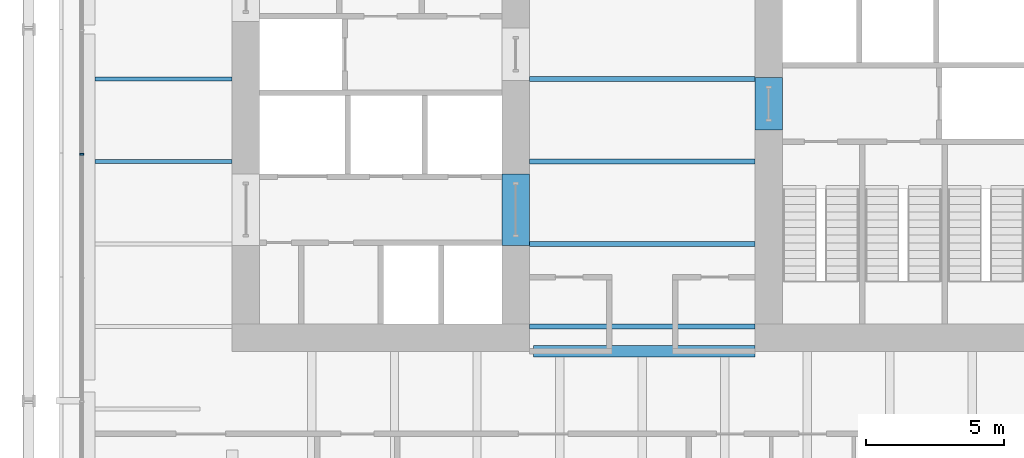
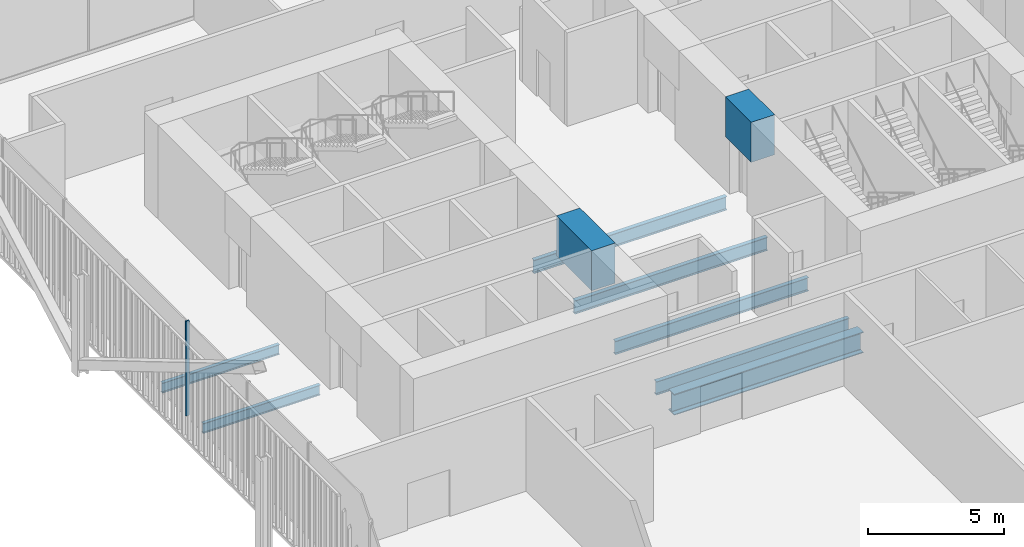
# One storey, part 7 of 21: 9 beams, 1 member, 1 element without a shape of its own.
"""IFC4 building model written with IfcOpenShell, lengths in metres."""

from ifc_helpers import new_model, si_unit, direction, frame, origin, origin_2d, place, context, subcontext, project, spatial, rectangle, i_section, extrude, material, layer, layer_set, material_profile, profile_set, type_object, element, aggregate, save


model = new_model("IFC4")

# Units and contexts
model_context = context("Model", 3, precision=1e-05, world=origin(), true_north=direction((0.0, 1.0)))
body_context = subcontext(model_context, "Body", "Model", "MODEL_VIEW")
ifc_project = project(units=[si_unit("LENGTHUNIT", "METRE"), si_unit("AREAUNIT", "SQUARE_METRE"), si_unit("VOLUMEUNIT", "CUBIC_METRE"), si_unit("PLANEANGLEUNIT", "RADIAN"), si_unit("MASSUNIT", "GRAM", prefix="KILO")], contexts=[model_context])

# Site, building, storey
site_placement = place(None, origin())
site = spatial("IfcSite", under=ifc_project, at=site_placement, CompositionType="ELEMENT")
building_placement = place(site_placement, origin())
building = spatial("IfcBuilding", under=site, at=building_placement, Name="Millrace Tower", CompositionType="ELEMENT")
storey_placement = place(building_placement, frame((0.0, 0.0, 73.199951171875)))
storey = spatial("IfcBuildingStorey", under=building, at=storey_placement, Name="L16", CompositionType="ELEMENT", Elevation=73.199951171875)

# Curtain wall, member
ifc_material_1 = material(Name="Aluminium and glass", Category="aluminium")
ifc_layer = layer(ifc_material_1, 0.14990234375)
ifc_layer_set = layer_set([ifc_layer], Name="Aluminium and glass")
curtain_wall_type = type_object("IfcCurtainWallType", Name="CW-3 telecom floor curtain wall", PredefinedType="NOTDEFINED", material=ifc_layer_set)
curtain_wall_placement = place(storey_placement, origin())
curtain_wall = element("IfcCurtainWall", 1, at=curtain_wall_placement, inside=storey, type_object=curtain_wall_type, Name="Curtain wall B-F08 L16", PredefinedType="NOTDEFINED")
ifc_material_2 = material(Name="Aluminium", Category="aluminium")
ifc_material_profile_1 = material_profile(ifc_material_2, rectangle(XDim=0.06494140625, YDim=0.14990234375, at=origin_2d()))
ifc_profile_set_1 = profile_set([ifc_material_profile_1], Name="Aluminium")
member_type = type_object("IfcMemberType", Name="CW-3 telecom floor curtain wall mullion", PredefinedType="MULLION", material=ifc_profile_set_1)
member_placement = place(storey_placement, frame((-20.375, -2.732421875, 0.150146484375), z_axis=(0.0, 0.0, 1.0), x_axis=(0.0, -1.0, 0.0)))
member = element("IfcMember", 2, at=member_placement, type_object=member_type, Name="CW3 mullion B-F08.5", PredefinedType="MULLION", context=body_context, shape_type="SweptSolid", body=[
    extrude(rectangle(XDim=0.06494140625, YDim=0.14990234375, at=origin_2d()), origin(), (0.0, 0.0, 1.0), 4.25),
])
aggregate(curtain_wall, [member])

# Beams
ifc_material_3 = material(Name="Concrete C80", Category="concrete")
ifc_material_profile_2 = material_profile(ifc_material_3, rectangle(XDim=1.0, YDim=1.800048828125, at=origin_2d()))
ifc_profile_set_2 = profile_set([ifc_material_profile_2], Name="Concrete C80")
beam_type_1 = type_object("IfcBeamType", Name="Coupling beam 1000 x 1800 Concrete C80, 1300 opening", PredefinedType="BEAM", material=ifc_profile_set_2)
beam_1_placement = place(storey_placement, frame((4.60009765625, 0.050048828125, 3.300048828125), z_axis=(0.0, -1.0, 0.0), x_axis=(1.0, 0.0, 0.0)))
element("IfcBeam", 3, at=beam_1_placement, inside=storey, type_object=beam_type_1, Name="Coupling beam E L16", PredefinedType="BEAM", context=body_context, shape_type="SweptSolid", body=[
    extrude(rectangle(XDim=1.0, YDim=1.800048828125, at=origin_2d()), origin(), (0.0, 0.0, 1.0), 1.900146484375),
])
ifc_material_4 = material(Name="Concrete C80", Category="concrete")
ifc_material_profile_3 = material_profile(ifc_material_4, rectangle(XDim=1.0, YDim=1.800048828125, at=origin_2d()))
ifc_profile_set_3 = profile_set([ifc_material_profile_3], Name="Concrete C80")
beam_type_2 = type_object("IfcBeamType", Name="Coupling beam 1000 x 1800 Concrete C80, 2000 opening", PredefinedType="BEAM", material=ifc_profile_set_3)
beam_2_placement = place(storey_placement, frame((-4.60009765625, -6.050048828125, 3.300048828125), z_axis=(0.0, 1.0, 0.0), x_axis=(-1.0, 0.0, 0.0)))
element("IfcBeam", 4, at=beam_2_placement, inside=storey, type_object=beam_type_2, Name="Coupling beam W L16", PredefinedType="BEAM", context=body_context, shape_type="SweptSolid", body=[
    extrude(rectangle(XDim=1.0, YDim=1.800048828125, at=origin_2d()), origin(), (0.0, 0.0, 1.0), 2.60009765625),
])
ifc_material_5 = material(Name="Steel ASTM A992 Grade 50", Category="steel")
ifc_material_profile_4 = material_profile(ifc_material_5, i_section(OverallWidth=0.15234375, OverallDepth=0.449462890625, WebThickness=0.007568359375, FlangeThickness=0.0107421875, FilletRadius=0.01025390625, at=origin_2d()))
ifc_profile_set_4 = profile_set([ifc_material_profile_4], Name="Steel ASTM A992 Grade 50")
beam_type_3 = type_object("IfcBeamType", Name="Floor beam W18x35", PredefinedType="JOIST", material=ifc_profile_set_4)
for number, where, z_axis, x_axis, name in (
    (5, (-19.880859375, -3.0, -0.4248046875), (1.0, 0.0, 0.0), (0.0, 1.0, 0.0), "BM-B-L16-S1-S020"),
    (6, (-19.880859375, 0.0, -0.4248046875), (1.0, 0.0, 0.0), (0.0, 1.0, 0.0), "BM-B-L16-S1-S023"),
):
    element("IfcBeam", number, at=place(storey_placement, frame(where, z_axis=z_axis, x_axis=x_axis)), inside=storey, type_object=beam_type_3, Name=name, PredefinedType="JOIST", context=body_context, shape_type="SweptSolid", body=[
        extrude(i_section(OverallWidth=0.15234375, OverallDepth=0.449462890625, WebThickness=0.007568359375, FlangeThickness=0.0107421875, FilletRadius=0.01025390625, at=origin_2d()), origin(), (0.0, 0.0, 1.0), 4.98095703125),
    ])
ifc_material_6 = material(Name="Steel ASTM A992 Grade 50", Category="steel")
ifc_material_profile_5 = material_profile(ifc_material_6, i_section(OverallWidth=0.177978515625, OverallDepth=0.599365234375, WebThickness=0.010009765625, FlangeThickness=0.012939453125, FilletRadius=0.012939453125, at=origin_2d()))
ifc_profile_set_5 = profile_set([ifc_material_profile_5], Name="Steel ASTM A992 Grade 50")
beam_type_4 = type_object("IfcBeamType", Name="Floor beam W24x55", PredefinedType="JOIST", material=ifc_profile_set_5)
for number, where, z_axis, x_axis, name in (
    (7, (-4.10009765625, -9.0, -0.499755859375), (1.0, 0.0, 0.0), (0.0, 1.0, 0.0), "BM-B-L16-S1-S013"),
    (8, (-4.10009765625, -6.0, -0.499755859375), (1.0, 0.0, 0.0), (0.0, 1.0, 0.0), "BM-B-L16-S1-S016"),
    (9, (-4.10009765625, -3.0, -0.499755859375), (1.0, 0.0, 0.0), (0.0, 1.0, 0.0), "BM-B-L16-S1-S019"),
    (10, (-4.10009765625, 0.0, -0.499755859375), (1.0, 0.0, 0.0), (0.0, 1.0, 0.0), "BM-B-L16-S1-S022"),
):
    element("IfcBeam", number, at=place(storey_placement, frame(where, z_axis=z_axis, x_axis=x_axis)), inside=storey, type_object=beam_type_4, Name=name, PredefinedType="JOIST", context=body_context, shape_type="SweptSolid", body=[
        extrude(i_section(OverallWidth=0.177978515625, OverallDepth=0.599365234375, WebThickness=0.010009765625, FlangeThickness=0.012939453125, FilletRadius=0.012939453125, at=origin_2d()), origin(), (0.0, 0.0, 1.0), 8.2001953125),
    ])
ifc_material_7 = material(Name="Steel ASTM A992 Grade 50", Category="steel")
ifc_material_profile_6 = material_profile(ifc_material_7, i_section(OverallWidth=0.421630859375, OverallDepth=0.937255859375, WebThickness=0.021240234375, FlangeThickness=0.03662109375, FilletRadius=0.024169921875, at=origin_2d()))
ifc_profile_set_6 = profile_set([ifc_material_profile_6], Name="Steel ASTM A992 Grade 50")
beam_type_5 = type_object("IfcBeamType", Name="Girder short span W36x262", PredefinedType="BEAM", material=ifc_profile_set_6)
beam_3_placement = place(storey_placement, frame((-3.9384765625, -9.89990234375, -0.668701171875), z_axis=(1.0, 0.0, 0.0), x_axis=(0.0, 1.0, 0.0)))
element("IfcBeam", 11, at=beam_3_placement, inside=storey, type_object=beam_type_5, Name="BM-B-L16-S1-G063", PredefinedType="BEAM", context=body_context, shape_type="SweptSolid", body=[
    extrude(i_section(OverallWidth=0.421630859375, OverallDepth=0.937255859375, WebThickness=0.021240234375, FlangeThickness=0.03662109375, FilletRadius=0.024169921875, at=origin_2d()), origin(), (0.0, 0.0, 1.0), 8.03857421875),
])

save(model, "model.ifc")
